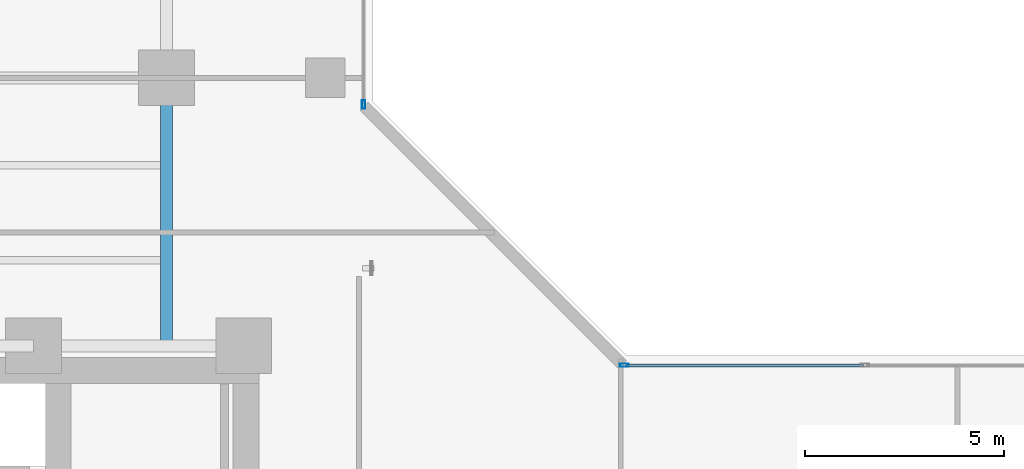
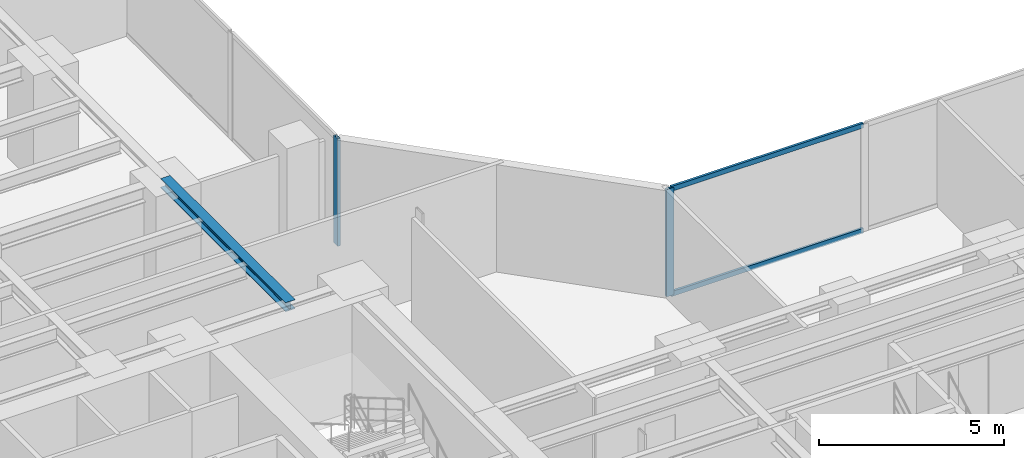
# One storey, part 9 of 28: 4 members, 1 beam, 2 elements without a shape of their own.
"""IFC4 building model written with IfcOpenShell, lengths in metres."""

from ifc_helpers import new_model, si_unit, direction, frame, origin, origin_with_axes, origin_2d, place, context, subcontext, project, spatial, hollow_rectangle, i_section, extrude, source, transform, mapped, material, layer, layer_set, material_profile, profile_set, type_object, element, aggregate, save


model = new_model("IFC4")

# Units and contexts
model_context = context("Model", 3, precision=1e-05, world=origin(), true_north=direction((0.0, 1.0)))
body_context = subcontext(model_context, "Body", "Model", "MODEL_VIEW")
ifc_project = project(units=[si_unit("LENGTHUNIT", "METRE"), si_unit("AREAUNIT", "SQUARE_METRE"), si_unit("VOLUMEUNIT", "CUBIC_METRE"), si_unit("PLANEANGLEUNIT", "RADIAN"), si_unit("MASSUNIT", "GRAM", prefix="KILO")], contexts=[model_context])

# Site, building, storey
site_placement = place(None, origin())
site = spatial("IfcSite", under=ifc_project, at=site_placement, CompositionType="ELEMENT")
building_placement = place(site_placement, origin())
building = spatial("IfcBuilding", under=site, at=building_placement, Name="Kolvaren Waterfront Exchange", CompositionType="ELEMENT")
storey_placement = place(building_placement, frame((0.0, 0.0, 103.10009765625)))
storey = spatial("IfcBuildingStorey", under=building, at=storey_placement, Name="L26", CompositionType="ELEMENT", Elevation=103.10009765625)

# Beam
ifc_material_1 = material(Name="Steel S355", Category="steel")
ifc_material_profile_1 = material_profile(ifc_material_1, i_section(OverallWidth=0.300048828125, OverallDepth=0.300048828125, WebThickness=0.010986328125, FlangeThickness=0.01904296875, FilletRadius=0.027099609375, at=origin_2d()), Name="HEB300")
ifc_profile_set_1 = profile_set([ifc_material_profile_1], Name="Steel S355")
beam_type = type_object("IfcBeamType", Name="STR-BM-HEB300", PredefinedType="SPANDREL", material=ifc_profile_set_1)
beam_placement = place(storey_placement, frame((18.800048828125, 24.449951171875, 3.389892578125), z_axis=(0.0, 1.0, 0.0), x_axis=(-1.0, 0.0, 0.0)))
element("IfcBeam", 1, at=beam_placement, inside=storey, type_object=beam_type, Name="L26 north-arm edge beam 1", PredefinedType="SPANDREL", context=body_context, shape_type="SweptSolid", body=[
    extrude(i_section(OverallWidth=0.300048828125, OverallDepth=0.300048828125, WebThickness=0.010986328125, FlangeThickness=0.01904296875, FilletRadius=0.027099609375, at=origin_2d()), origin(), (0.0, 0.0, 1.0), 6.75),
])

# Curtain wall, member
ifc_material_2 = material(Name="Anodised bronze aluminium 6063-T6", Category="aluminium")
ifc_layer = layer(ifc_material_2, 0.219970703125, Name="Anodised bronze aluminium 6063-T6")
ifc_layer_set = layer_set([ifc_layer], Name="Anodised bronze aluminium 6063-T6")
curtain_wall_type = type_object("IfcCurtainWallType", Name="ARC-CW-SYS1", PredefinedType="USERDEFINED", material=ifc_layer_set)
curtain_wall_1_placement = place(storey_placement, origin())
curtain_wall_1 = element("IfcCurtainWall", 2, at=curtain_wall_1_placement, inside=storey, type_object=curtain_wall_type, Name="L26 stick curtain wall CW1 (CW-L26-NE)", ObjectType="STICK CURTAIN WALL", PredefinedType="USERDEFINED")
ifc_material_3 = material(Name="Anodised aluminium 6063-T6", Category="aluminium")
ifc_material_profile_2 = material_profile(ifc_material_3, hollow_rectangle(XDim=0.080078125, YDim=0.219970703125, WallThickness=0.0048828125, at=origin_2d()), Name="ALU-MUL-220x80x5")
ifc_profile_set_2 = profile_set([ifc_material_profile_2], Name="Anodised aluminium 6063-T6")
member_type_1 = type_object("IfcMemberType", Name="ARC-CWM-220", PredefinedType="MULLION", material=ifc_profile_set_2)
shared_shape_1 = source(origin_with_axes(), body_context, "Body", "SweptSolid", [
    extrude(hollow_rectangle(XDim=0.080078125, YDim=0.219970703125, WallThickness=0.0048828125, at=origin_2d()), origin(), (0.0, 0.0, 1.0), 3.539794921875),
])
member_1_placement = place(storey_placement, frame((23.760009765625, 30.530029296875, 0.0), z_axis=(0.0, 0.0, 1.0), x_axis=(-1.0, 0.0, 0.0)))
member_1 = element("IfcMember", 3, at=member_1_placement, type_object=member_type_1, Name="CW1 mullion 1", PredefinedType="MULLION", context=body_context, shape_type="MappedRepresentation", body=[
    mapped(shared_shape_1, transform((0.0, 0.0, 0.0), x_axis=(1.0, 0.0, 0.0), y_axis=(0.0, 1.0, 0.0), z_axis=(0.0, 0.0, 1.0), scale=1.0)),
])
aggregate(curtain_wall_1, [member_1])

# Curtain wall, members
curtain_wall_2_placement = place(storey_placement, origin())
curtain_wall_2 = element("IfcCurtainWall", 4, at=curtain_wall_2_placement, inside=storey, type_object=curtain_wall_type, Name="L26 stick curtain wall CW1 (CW-L26-EN)", ObjectType="STICK CURTAIN WALL", PredefinedType="USERDEFINED")
member_2_placement = place(storey_placement, frame((30.330078125, 23.9599609375, 0.0), z_axis=(0.0, 0.0, 1.0), x_axis=(0.0, 1.0, 0.0)))
member_2 = element("IfcMember", 5, at=member_2_placement, type_object=member_type_1, Name="CW1 mullion 1", PredefinedType="MULLION", context=body_context, shape_type="MappedRepresentation", body=[
    mapped(shared_shape_1, transform((0.0, 0.0, 0.0), x_axis=(1.0, 0.0, 0.0), y_axis=(0.0, 1.0, 0.0), z_axis=(0.0, 0.0, 1.0), scale=1.0)),
])
ifc_material_profile_3 = material_profile(ifc_material_3, hollow_rectangle(XDim=0.074951171875, YDim=0.159912109375, WallThickness=0.00439453125, at=origin_2d()), Name="ALU-TRN-160x75x4.5")
ifc_profile_set_3 = profile_set([ifc_material_profile_3], Name="Anodised aluminium 6063-T6")
member_type_2 = type_object("IfcMemberType", Name="ARC-CWT-160", PredefinedType="USERDEFINED", material=ifc_profile_set_3)
shared_shape_2 = source(origin_with_axes(), body_context, "Body", "SweptSolid", [
    extrude(hollow_rectangle(XDim=0.074951171875, YDim=0.159912109375, WallThickness=0.00439453125, at=origin_2d()), origin(), (0.0, 0.0, 1.0), 5.982421875),
])
member_3_placement = place(storey_placement, frame((30.3701171875, 23.9599609375, 0.037353515625), z_axis=(1.0, 0.0, 0.0), x_axis=(0.0, 1.0, 0.0)))
member_3 = element("IfcMember", 6, at=member_3_placement, type_object=member_type_2, Name="CW1 transom 1.1", ObjectType="TRANSOM", PredefinedType="USERDEFINED", context=body_context, shape_type="MappedRepresentation", body=[
    mapped(shared_shape_2, transform((0.0, 0.0, 0.0), x_axis=(1.0, 0.0, 0.0), y_axis=(0.0, 1.0, 0.0), z_axis=(0.0, 0.0, 1.0), scale=1.0)),
])
member_4_placement = place(storey_placement, frame((30.3701171875, 23.9599609375, 3.50244140625), z_axis=(1.0, 0.0, 0.0), x_axis=(0.0, 1.0, 0.0)))
member_4 = element("IfcMember", 7, at=member_4_placement, type_object=member_type_2, Name="CW1 transom 1.2", ObjectType="TRANSOM", PredefinedType="USERDEFINED", context=body_context, shape_type="MappedRepresentation", body=[
    mapped(shared_shape_2, transform((0.0, 0.0, 0.0), x_axis=(1.0, 0.0, 0.0), y_axis=(0.0, 1.0, 0.0), z_axis=(0.0, 0.0, 1.0), scale=1.0)),
])
aggregate(curtain_wall_2, [member_2, member_3, member_4])

save(model, "model.ifc")
